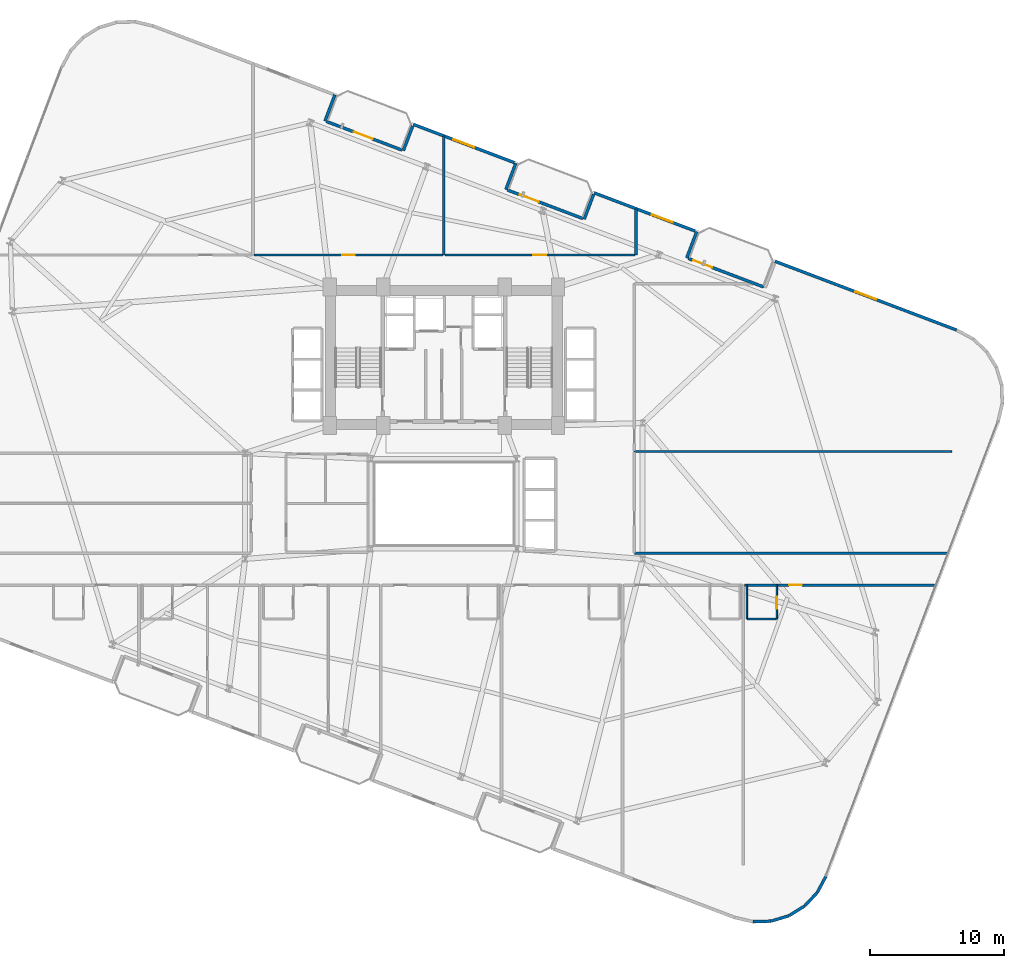
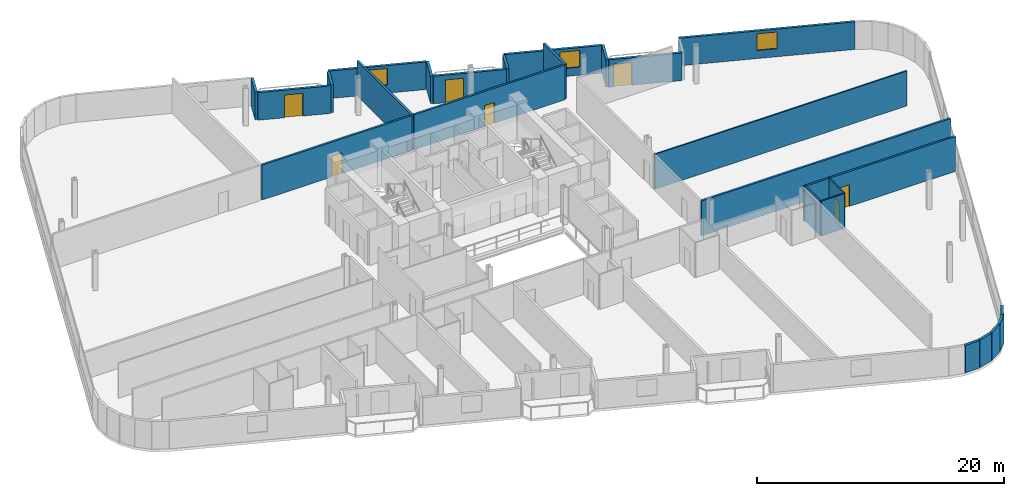
# One storey, part 20 of 25: 26 walls, 7 doors, 3 windows, 10 openings.
"""IFC4 building model written with IfcOpenShell, lengths in metres."""

from ifc_helpers import new_model, si_unit, direction, frame, frame_2d, origin, place, context, subcontext, project, spatial, rectangle, extrude, material, layer, layer_set, type_object, element, fill, save


model = new_model("IFC4")

# Units and contexts
model_context = context("Model", 3, precision=1e-05, world=origin(), true_north=direction((0.0, 1.0)))
body_context = subcontext(model_context, "Body", "Model", "MODEL_VIEW")
ifc_project = project(units=[si_unit("LENGTHUNIT", "METRE"), si_unit("AREAUNIT", "SQUARE_METRE"), si_unit("VOLUMEUNIT", "CUBIC_METRE"), si_unit("PLANEANGLEUNIT", "RADIAN"), si_unit("MASSUNIT", "GRAM", prefix="KILO")], contexts=[model_context])

# Site, building, storey
site_placement = place(None, origin())
site = spatial("IfcSite", under=ifc_project, at=site_placement, CompositionType="ELEMENT")
building_placement = place(site_placement, origin())
building = spatial("IfcBuilding", under=site, at=building_placement, Name="Varnelok Gate Tower", CompositionType="ELEMENT")
storey_placement = place(building_placement, frame((0.0, 0.0, 79.89990234375)))
storey = spatial("IfcBuildingStorey", under=building, at=storey_placement, Name="L19", CompositionType="ELEMENT", Elevation=79.89990234375)

# Wall, opening, door
ifc_material_1 = material(Name="Concrete C45/55", Category="concrete")
ifc_layer_1 = layer(ifc_material_1, 0.219970703125)
ifc_layer_set_1 = layer_set([ifc_layer_1], Name="Concrete C45/55")
wall_type_1 = type_object("IfcWallType", Name="EW-BALC-220", PredefinedType="SOLIDWALL", material=ifc_layer_set_1)
wall_1_placement = place(storey_placement, frame((30.465087890625, 51.37158203125, 0.0), z_axis=(0.0, 0.0, 1.0), x_axis=(0.935227640088, -0.354046976001, 0.0)))
wall_1 = element("IfcWall", 1, at=wall_1_placement, inside=storey, type_object=wall_type_1, Name="L19 North Terrace Envelope Wall 4", PredefinedType="SOLIDWALL", context=body_context, shape_type="SweptSolid", body=[
    extrude(rectangle(XDim=6.0, YDim=0.219970703125, at=frame_2d((3.0, 0.0))), origin(), (0.0, 0.0, 1.0), 2.72998046875),
])
opening_1_placement = place(wall_1_placement, frame((2.176025390625, 0.0, 0.0)))
opening_1 = element("IfcOpeningElement", 2, at=opening_1_placement, cuts=wall_1, Name="Opening BD-1", PredefinedType="OPENING", context=body_context, shape_type="SweptSolid", body=[
    extrude(rectangle(XDim=1.5, YDim=2.25, at=frame_2d((0.75, 1.125))), frame((0.0, 0.119873046875, 0.0), z_axis=(0.0, -1.0, 0.0), x_axis=(1.0, 0.0, 0.0)), (0.0, 0.0, 1.0), 0.239990234375),
])
ifc_material_2 = material(Name="Anodized Aluminum Alloy 6063-T6", Category="aluminium")
door_type_1 = type_object("IfcDoorType", Name="DR-EXT-BALC1500", OperationType="NOTDEFINED", PredefinedType="DOOR", material=ifc_material_2)
door_1_placement = place(opening_1_placement, origin())
door_1 = element("IfcDoor", 3, at=door_1_placement, inside=storey, type_object=door_type_1, Name="L19 North Balcony Glazed Door 4", OperationType="SINGLE_SWING_LEFT", OverallHeight=2.25, OverallWidth=1.5, PredefinedType="DOOR", context=body_context, shape_type="SweptSolid", body=[
    extrude(rectangle(XDim=1.5, YDim=2.25, at=frame_2d((0.75, 1.125))), frame((0.0, 0.02490234375, 0.0), z_axis=(0.0, -1.0, 0.0), x_axis=(1.0, 0.0, 0.0)), (0.0, 0.0, 1.0), 0.050048828125),
])
fill(opening_1, door_1)

wall_2_placement = place(storey_placement, frame((43.932373046875, 46.273193359375, 0.0), z_axis=(0.0, 0.0, 1.0), x_axis=(0.93521416643, -0.354082565101, 0.0)))
wall_2 = element("IfcWall", 4, at=wall_2_placement, inside=storey, type_object=wall_type_1, Name="L19 North Terrace Envelope Wall 5", PredefinedType="SOLIDWALL", context=body_context, shape_type="SweptSolid", body=[
    extrude(rectangle(XDim=6.0, YDim=0.219970703125, at=frame_2d((3.0, 0.0))), origin(), (0.0, 0.0, 1.0), 2.72998046875),
])
opening_2_placement = place(wall_2_placement, frame((0.991943359375, 0.0, 0.0)))
opening_2 = element("IfcOpeningElement", 5, at=opening_2_placement, cuts=wall_2, Name="Opening BD-1", PredefinedType="OPENING", context=body_context, shape_type="SweptSolid", body=[
    extrude(rectangle(XDim=1.5, YDim=2.25, at=frame_2d((0.75, 1.125))), frame((0.0, 0.119873046875, 0.0), z_axis=(0.0, -1.0, 0.0), x_axis=(1.0, 0.0, 0.0)), (0.0, 0.0, 1.0), 0.239990234375),
])
door_2_placement = place(opening_2_placement, origin())
door_2 = element("IfcDoor", 6, at=door_2_placement, inside=storey, type_object=door_type_1, Name="L19 North Balcony Glazed Door 5", OperationType="SINGLE_SWING_RIGHT", OverallHeight=2.25, OverallWidth=1.5, PredefinedType="DOOR", context=body_context, shape_type="SweptSolid", body=[
    extrude(rectangle(XDim=1.5, YDim=2.25, at=frame_2d((0.75, 1.125))), frame((0.0, 0.02490234375, 0.0), z_axis=(0.0, -1.0, 0.0), x_axis=(1.0, 0.0, 0.0)), (0.0, 0.0, 1.0), 0.050048828125),
])
fill(opening_2, door_2)

wall_3_placement = place(storey_placement, frame((57.3994140625, 41.174560546875, 0.0), z_axis=(0.0, 0.0, 1.0), x_axis=(0.935227640088, -0.354046976001, 0.0)))
wall_3 = element("IfcWall", 7, at=wall_3_placement, inside=storey, type_object=wall_type_1, Name="L19 North Terrace Envelope Wall 6", PredefinedType="SOLIDWALL", context=body_context, shape_type="SweptSolid", body=[
    extrude(rectangle(XDim=6.0, YDim=0.219970703125, at=frame_2d((3.0, 0.0))), origin(), (0.0, 0.0, 1.0), 2.72998046875),
])
opening_3_placement = place(wall_3_placement, frame((0.39990234375, 0.0, 0.0)))
opening_3 = element("IfcOpeningElement", 8, at=opening_3_placement, cuts=wall_3, Name="Opening BD-1", PredefinedType="OPENING", context=body_context, shape_type="SweptSolid", body=[
    extrude(rectangle(XDim=1.5, YDim=2.25, at=frame_2d((0.75, 1.125))), frame((0.0, 0.119873046875, 0.0), z_axis=(0.0, -1.0, 0.0), x_axis=(1.0, 0.0, 0.0)), (0.0, 0.0, 1.0), 0.239990234375),
])
door_3_placement = place(opening_3_placement, origin())
door_3 = element("IfcDoor", 9, at=door_3_placement, inside=storey, type_object=door_type_1, Name="L19 North Balcony Glazed Door 6", OperationType="SINGLE_SWING_LEFT", OverallHeight=2.25, OverallWidth=1.5, PredefinedType="DOOR", context=body_context, shape_type="SweptSolid", body=[
    extrude(rectangle(XDim=1.5, YDim=2.25, at=frame_2d((0.75, 1.125))), frame((0.0, 0.02490234375, 0.0), z_axis=(0.0, -1.0, 0.0), x_axis=(1.0, 0.0, 0.0)), (0.0, 0.0, 1.0), 0.050048828125),
])
fill(opening_3, door_3)

# Walls
wall_4_placement = place(storey_placement, frame((62.2158203125, -8.209228515625, 0.0), z_axis=(0.0, 0.0, 1.0), x_axis=(0.999523971993, 0.03085173271, 0.0)))
element("IfcWall", 10, at=wall_4_placement, inside=storey, type_object=wall_type_1, Name="L19 Perimeter Facade Closure Wall 18", PredefinedType="SOLIDWALL", context=body_context, shape_type="SweptSolid", body=[
    extrude(rectangle(XDim=1.353271484375, YDim=0.219970703125, at=frame_2d((0.6767578125, 0.0))), origin(), (0.0, 0.0, 1.0), 2.72998046875),
])
for number, where, z_axis, x_axis, name in (
    (11, (63.59228515625, -8.160400390625, 0.0), (0.0, 0.0, 1.0), (0.957532798303, 0.28832436625, 0.0), "L19 Perimeter Facade Closure Wall 19"),
    (12, (64.9091796875, -7.757080078125, 0.0), (0.0, 0.0, 1.0), (0.850180541217, 0.526491260456, 0.0), "L19 Perimeter Facade Closure Wall 20"),
):
    element("IfcWall", number, at=place(storey_placement, frame(where, z_axis=z_axis, x_axis=x_axis)), inside=storey, type_object=wall_type_1, Name=name, PredefinedType="SOLIDWALL", context=body_context, shape_type="SweptSolid", body=[
        extrude(rectangle(XDim=1.35302734375, YDim=0.219970703125, at=frame_2d((0.676513671875, 0.0))), origin(), (0.0, 0.0, 1.0), 2.72998046875),
    ])
wall_5_placement = place(storey_placement, frame((66.07666015625, -7.026611328125, 0.0), z_axis=(0.0, 0.0, 1.0), x_axis=(0.685032599484, 0.7285124142, 0.0)))
element("IfcWall", 13, at=wall_5_placement, inside=storey, type_object=wall_type_1, Name="L19 Perimeter Facade Closure Wall 21", PredefinedType="SOLIDWALL", context=body_context, shape_type="SweptSolid", body=[
    extrude(rectangle(XDim=1.353271484375, YDim=0.219970703125, at=frame_2d((0.6767578125, 0.0))), origin(), (0.0, 0.0, 1.0), 2.72998046875),
])
wall_6_placement = place(storey_placement, frame((67.015380859375, -6.018798828125, 0.0), z_axis=(0.0, 0.0, 1.0), x_axis=(0.473077364598, 0.881020889142, 0.0)))
element("IfcWall", 14, at=wall_6_placement, inside=storey, type_object=wall_type_1, Name="L19 Perimeter Facade Closure Wall 22", PredefinedType="SOLIDWALL", context=body_context, shape_type="SweptSolid", body=[
    extrude(rectangle(XDim=1.35302734375, YDim=0.219970703125, at=frame_2d((0.676513671875, 0.0))), origin(), (0.0, 0.0, 1.0), 2.72998046875),
])

# Wall, opening, window
wall_7_placement = place(storey_placement, frame((77.37451171875, 35.84716796875, 0.0), z_axis=(0.0, 0.0, 1.0), x_axis=(-0.935222448475, 0.354060689526, 0.0)))
wall_7 = element("IfcWall", 15, at=wall_7_placement, inside=storey, type_object=wall_type_1, Name="L19 Perimeter Facade Closure Wall 29", PredefinedType="SOLIDWALL", context=body_context, shape_type="SweptSolid", body=[
    extrude(rectangle(XDim=14.447265625, YDim=0.219970703125, at=frame_2d((7.2236328125, 0.0))), origin(), (0.0, 0.0, 1.0), 2.72998046875),
])
opening_4_placement = place(wall_7_placement, frame((6.398681640625, 0.0, 0.800048828125)))
opening_4 = element("IfcOpeningElement", 16, at=opening_4_placement, cuts=wall_7, Name="Opening WN3", PredefinedType="OPENING", context=body_context, shape_type="SweptSolid", body=[
    extrude(rectangle(XDim=1.64990234375, YDim=1.64990234375, at=frame_2d((0.824951171875, 0.824951171875))), frame((0.0, 0.119873046875, 0.0), z_axis=(0.0, -1.0, 0.0), x_axis=(1.0, 0.0, 0.0)), (0.0, 0.0, 1.0), 0.239990234375),
])
ifc_material_3 = material(Name="Low-E Laminated Double Glazing IGU", Category="glass")
window_type = type_object("IfcWindowType", Name="WN-HTL-1650", PartitioningType="SINGLE_PANEL", PredefinedType="WINDOW", material=ifc_material_3)
window_1_placement = place(opening_4_placement, origin())
window_1 = element("IfcWindow", 17, at=window_1_placement, inside=storey, type_object=window_type, Name="L19 Perimeter Vision Window 29", OverallHeight=1.64990234375, OverallWidth=1.64990234375, PartitioningType="SINGLE_PANEL", PredefinedType="WINDOW", context=body_context, shape_type="SweptSolid", body=[
    extrude(rectangle(XDim=1.64990234375, YDim=1.64990234375, at=frame_2d((0.824951171875, 0.824951171875))), frame((0.0, 0.030029296875, 0.0), z_axis=(0.0, -1.0, 0.0), x_axis=(1.0, 0.0, 0.0)), (0.0, 0.0, 1.0), 0.06005859375),
])
fill(opening_4, window_1)

# Wall
wall_8_placement = place(storey_placement, frame((57.28369140625, 41.207763671875, 0.0), z_axis=(0.0, 0.0, 1.0), x_axis=(0.354128469405, 0.935196785258, 0.0)))
element("IfcWall", 18, at=wall_8_placement, inside=storey, type_object=wall_type_1, Name="L19 Perimeter Facade Closure Wall 31", PredefinedType="SOLIDWALL", context=body_context, shape_type="SweptSolid", body=[
    extrude(rectangle(XDim=2.099853515625, YDim=0.219970703125, at=frame_2d((1.0498046875, 0.0))), origin(), (0.0, 0.0, 1.0), 2.72998046875),
])

# Wall, opening, window
wall_9_placement = place(storey_placement, frame((57.910400390625, 43.2158203125, 0.0), z_axis=(0.0, 0.0, 1.0), x_axis=(-0.935220736163, 0.354065212427, 0.0)))
wall_9 = element("IfcWall", 19, at=wall_9_placement, inside=storey, type_object=wall_type_1, Name="L19 Perimeter Facade Closure Wall 32", PredefinedType="SOLIDWALL", context=body_context, shape_type="SweptSolid", body=[
    extrude(rectangle(XDim=8.03515625, YDim=0.219970703125, at=frame_2d((4.017578125, 0.0))), origin(), (0.0, 0.0, 1.0), 2.72998046875),
])
opening_5_placement = place(wall_9_placement, frame((1.787841796875, 0.0, 0.800048828125)))
opening_5 = element("IfcOpeningElement", 20, at=opening_5_placement, cuts=wall_9, Name="Opening WN3", PredefinedType="OPENING", context=body_context, shape_type="SweptSolid", body=[
    extrude(rectangle(XDim=1.64990234375, YDim=1.64990234375, at=frame_2d((0.824951171875, 0.824951171875))), frame((0.0, 0.119873046875, 0.0), z_axis=(0.0, -1.0, 0.0), x_axis=(1.0, 0.0, 0.0)), (0.0, 0.0, 1.0), 0.239990234375),
])
window_2_placement = place(opening_5_placement, origin())
window_2 = element("IfcWindow", 21, at=window_2_placement, inside=storey, type_object=window_type, Name="L19 Perimeter Vision Window 32", OverallHeight=1.64990234375, OverallWidth=1.64990234375, PartitioningType="SINGLE_PANEL", PredefinedType="WINDOW", context=body_context, shape_type="SweptSolid", body=[
    extrude(rectangle(XDim=1.64990234375, YDim=1.64990234375, at=frame_2d((0.824951171875, 0.824951171875))), frame((0.0, 0.030029296875, 0.0), z_axis=(0.0, -1.0, 0.0), x_axis=(1.0, 0.0, 0.0)), (0.0, 0.0, 1.0), 0.06005859375),
])
fill(opening_5, window_2)

# Walls
wall_10_placement = place(storey_placement, frame((50.3515625, 45.94384765625, 0.0), z_axis=(0.0, 0.0, 1.0), x_axis=(-0.354061611705, -0.935222099352, 0.0)))
element("IfcWall", 22, at=wall_10_placement, inside=storey, type_object=wall_type_1, Name="L19 Perimeter Facade Closure Wall 33", PredefinedType="SOLIDWALL", context=body_context, shape_type="SweptSolid", body=[
    extrude(rectangle(XDim=1.974853515625, YDim=0.219970703125, at=frame_2d((0.9873046875, 0.0))), origin(), (0.0, 0.0, 1.0), 2.72998046875),
])
wall_11_placement = place(storey_placement, frame((43.816650390625, 46.30615234375, 0.0), z_axis=(0.0, 0.0, 1.0), x_axis=(0.353988291547, 0.935249854022, 0.0)))
element("IfcWall", 23, at=wall_11_placement, inside=storey, type_object=wall_type_1, Name="L19 Perimeter Facade Closure Wall 34", PredefinedType="SOLIDWALL", context=body_context, shape_type="SweptSolid", body=[
    extrude(rectangle(XDim=2.10009765625, YDim=0.219970703125, at=frame_2d((1.050048828125, 0.0))), origin(), (0.0, 0.0, 1.0), 2.72998046875),
])

# Wall, opening, window
wall_12_placement = place(storey_placement, frame((44.443115234375, 48.314453125, 0.0), z_axis=(0.0, 0.0, 1.0), x_axis=(-0.935226988293, 0.354048697735, 0.0)))
wall_12 = element("IfcWall", 24, at=wall_12_placement, inside=storey, type_object=wall_type_1, Name="L19 Perimeter Facade Closure Wall 35", PredefinedType="SOLIDWALL", context=body_context, shape_type="SweptSolid", body=[
    extrude(rectangle(XDim=8.034912109375, YDim=0.219970703125, at=frame_2d((4.017578125, 0.0))), origin(), (0.0, 0.0, 1.0), 2.72998046875),
])
opening_6_placement = place(wall_12_placement, frame((3.1923828125, 0.0, 0.800048828125)))
opening_6 = element("IfcOpeningElement", 25, at=opening_6_placement, cuts=wall_12, Name="Opening WN3", PredefinedType="OPENING", context=body_context, shape_type="SweptSolid", body=[
    extrude(rectangle(XDim=1.64990234375, YDim=1.64990234375, at=frame_2d((0.824951171875, 0.824951171875))), frame((0.0, 0.119873046875, 0.0), z_axis=(0.0, -1.0, 0.0), x_axis=(1.0, 0.0, 0.0)), (0.0, 0.0, 1.0), 0.239990234375),
])
window_3_placement = place(opening_6_placement, origin())
window_3 = element("IfcWindow", 26, at=window_3_placement, inside=storey, type_object=window_type, Name="L19 Perimeter Vision Window 35", OverallHeight=1.64990234375, OverallWidth=1.64990234375, PartitioningType="SINGLE_PANEL", PredefinedType="WINDOW", context=body_context, shape_type="SweptSolid", body=[
    extrude(rectangle(XDim=1.64990234375, YDim=1.64990234375, at=frame_2d((0.824951171875, 0.824951171875))), frame((0.0, 0.030029296875, 0.0), z_axis=(0.0, -1.0, 0.0), x_axis=(1.0, 0.0, 0.0)), (0.0, 0.0, 1.0), 0.06005859375),
])
fill(opening_6, window_3)

# Walls
wall_13_placement = place(storey_placement, frame((36.884521484375, 51.04248046875, 0.0), z_axis=(0.0, 0.0, 1.0), x_axis=(-0.354128791944, -0.935196663123, 0.0)))
element("IfcWall", 27, at=wall_13_placement, inside=storey, type_object=wall_type_1, Name="L19 Perimeter Facade Closure Wall 36", PredefinedType="SOLIDWALL", context=body_context, shape_type="SweptSolid", body=[
    extrude(rectangle(XDim=1.97509765625, YDim=0.219970703125, at=frame_2d((0.987548828125, 0.0))), origin(), (0.0, 0.0, 1.0), 2.72998046875),
])
wall_14_placement = place(storey_placement, frame((30.349365234375, 51.40478515625, 0.0), z_axis=(0.0, 0.0, 1.0), x_axis=(0.354128469405, 0.935196785258, 0.0)))
element("IfcWall", 28, at=wall_14_placement, inside=storey, type_object=wall_type_1, Name="L19 Perimeter Facade Closure Wall 37", PredefinedType="SOLIDWALL", context=body_context, shape_type="SweptSolid", body=[
    extrude(rectangle(XDim=2.099853515625, YDim=0.219970703125, at=frame_2d((1.0498046875, 0.0))), origin(), (0.0, 0.0, 1.0), 2.72998046875),
])

# Wall, opening, door
ifc_material_4 = material(Name="Gypsum Plasterboard Acoustic Partition", Category="gypsum")
ifc_layer_2 = layer(ifc_material_4, 0.179931640625)
ifc_layer_set_2 = layer_set([ifc_layer_2], Name="Gypsum Plasterboard Acoustic Partition")
wall_type_2 = type_object("IfcWallType", Name="PW-CORR-180", PredefinedType="PARTITIONING", material=ifc_layer_set_2)
wall_15_placement = place(storey_placement, frame((61.580078125, 16.85009765625, 0.0), z_axis=(0.0, 0.0, 1.0), x_axis=(1.0, 0.0, 0.0)))
wall_15 = element("IfcWall", 29, at=wall_15_placement, inside=storey, type_object=wall_type_2, Name="Interior Partition", PredefinedType="PARTITIONING", context=body_context, shape_type="SweptSolid", body=[
    extrude(rectangle(XDim=14.2216796875, YDim=0.179931640625, at=frame_2d((7.11083984375, 0.0))), origin(), (0.0, 0.0, 1.0), 3.4501953125),
])
opening_7_placement = place(wall_15_placement, frame((3.32470703125, 0.0, 0.0)))
opening_7 = element("IfcOpeningElement", 30, at=opening_7_placement, cuts=wall_15, Name="Opening D-HT", PredefinedType="OPENING", context=body_context, shape_type="SweptSolid", body=[
    extrude(rectangle(XDim=0.949951171875, YDim=2.14990234375, at=frame_2d((0.47509765625, 1.074951171875))), frame((0.0, 0.099853515625, 0.0), z_axis=(0.0, -1.0, 0.0), x_axis=(1.0, 0.0, 0.0)), (0.0, 0.0, 1.0), 0.199951171875),
])
ifc_material_5 = material(Name="Engineered Hardwood Timber", Category="wood")
door_type_2 = type_object("IfcDoorType", Name="DR-HTL-950", OperationType="NOTDEFINED", PredefinedType="DOOR", material=ifc_material_5)
door_4_placement = place(opening_7_placement, origin())
door_4 = element("IfcDoor", 31, at=door_4_placement, inside=storey, type_object=door_type_2, Name="L19 Guest Room 07 Entrance Door", OperationType="SINGLE_SWING_RIGHT", OverallHeight=2.14990234375, OverallWidth=0.949951171875, PredefinedType="DOOR", context=body_context, shape_type="SweptSolid", body=[
    extrude(rectangle(XDim=0.949951171875, YDim=2.14990234375, at=frame_2d((0.47509765625, 1.074951171875))), frame((0.0, 0.02490234375, 0.0), z_axis=(0.0, -1.0, 0.0), x_axis=(1.0, 0.0, 0.0)), (0.0, 0.0, 1.0), 0.050048828125),
])
fill(opening_7, door_4)

wall_16_placement = place(storey_placement, frame((25.080078125, 41.429931640625, 0.0), z_axis=(0.0, 0.0, 1.0), x_axis=(1.0, 0.0, 0.0)))
wall_16 = element("IfcWall", 32, at=wall_16_placement, inside=storey, type_object=wall_type_2, Name="Interior Partition", PredefinedType="PARTITIONING", context=body_context, shape_type="SweptSolid", body=[
    extrude(rectangle(XDim=14.0400390625, YDim=0.179931640625, at=frame_2d((7.02001953125, 0.0))), origin(), (0.0, 0.0, 1.0), 3.4501953125),
])
opening_8_placement = place(wall_16_placement, frame((6.544921875, 0.0, 0.0)))
opening_8 = element("IfcOpeningElement", 33, at=opening_8_placement, cuts=wall_16, Name="Opening D-I2", PredefinedType="OPENING", context=body_context, shape_type="SweptSolid", body=[
    extrude(rectangle(XDim=0.949951171875, YDim=2.050048828125, at=frame_2d((0.47509765625, 1.02490234375))), frame((0.0, 0.099853515625, 0.0), z_axis=(0.0, -1.0, 0.0), x_axis=(1.0, 0.0, 0.0)), (0.0, 0.0, 1.0), 0.199951171875),
])
door_type_3 = type_object("IfcDoorType", Name="DR-INT-950", OperationType="NOTDEFINED", PredefinedType="DOOR", material=ifc_material_5)
door_5_placement = place(opening_8_placement, origin())
door_5 = element("IfcDoor", 34, at=door_5_placement, inside=storey, type_object=door_type_3, Name="L19 Hotel Fitness Studio Door", OperationType="SINGLE_SWING_LEFT", OverallHeight=2.050048828125, OverallWidth=0.949951171875, PredefinedType="DOOR", context=body_context, shape_type="SweptSolid", body=[
    extrude(rectangle(XDim=0.949951171875, YDim=2.050048828125, at=frame_2d((0.47509765625, 1.02490234375))), frame((0.0, 0.02490234375, 0.0), z_axis=(0.0, -1.0, 0.0), x_axis=(1.0, 0.0, 0.0)), (0.0, 0.0, 1.0), 0.050048828125),
])
fill(opening_8, door_5)

wall_17_placement = place(storey_placement, frame((39.280029296875, 41.429931640625, 0.0), z_axis=(0.0, 0.0, 1.0), x_axis=(1.0, 0.0, 0.0)))
wall_17 = element("IfcWall", 35, at=wall_17_placement, inside=storey, type_object=wall_type_2, Name="Interior Partition", PredefinedType="PARTITIONING", context=body_context, shape_type="SweptSolid", body=[
    extrude(rectangle(XDim=14.139892578125, YDim=0.179931640625, at=frame_2d((7.06982421875, 0.0))), origin(), (0.0, 0.0, 1.0), 3.4501953125),
])
opening_9_placement = place(wall_17_placement, frame((6.594970703125, 0.0, 0.0)))
opening_9 = element("IfcOpeningElement", 36, at=opening_9_placement, cuts=wall_17, Name="Opening D-I2", PredefinedType="OPENING", context=body_context, shape_type="SweptSolid", body=[
    extrude(rectangle(XDim=0.949951171875, YDim=2.050048828125, at=frame_2d((0.47509765625, 1.02490234375))), frame((0.0, 0.099853515625, 0.0), z_axis=(0.0, -1.0, 0.0), x_axis=(1.0, 0.0, 0.0)), (0.0, 0.0, 1.0), 0.199951171875),
])
door_6_placement = place(opening_9_placement, origin())
door_6 = element("IfcDoor", 37, at=door_6_placement, inside=storey, type_object=door_type_3, Name="L19 Wellness Spa Lounge Door", OperationType="SINGLE_SWING_LEFT", OverallHeight=2.050048828125, OverallWidth=0.949951171875, PredefinedType="DOOR", context=body_context, shape_type="SweptSolid", body=[
    extrude(rectangle(XDim=0.949951171875, YDim=2.050048828125, at=frame_2d((0.47509765625, 1.02490234375))), frame((0.0, 0.02490234375, 0.0), z_axis=(0.0, -1.0, 0.0), x_axis=(1.0, 0.0, 0.0)), (0.0, 0.0, 1.0), 0.050048828125),
])
fill(opening_9, door_6)

# Walls
wall_18_placement = place(storey_placement, frame((53.389892578125, 19.239990234375, 0.0), z_axis=(0.0, 0.0, 1.0), x_axis=(1.0, 0.0, 0.0)))
element("IfcWall", 38, at=wall_18_placement, inside=storey, type_object=wall_type_2, Name="Interior Partition", PredefinedType="PARTITIONING", context=body_context, shape_type="SweptSolid", body=[
    extrude(rectangle(XDim=23.316650390625, YDim=0.179931640625, at=frame_2d((11.658203125, 0.0))), origin(), (0.0, 0.0, 1.0), 3.4501953125),
])
ifc_layer_3 = layer(ifc_material_4, 0.114990234375)
ifc_layer_set_3 = layer_set([ifc_layer_3], Name="Gypsum Plasterboard Acoustic Partition")
wall_type_3 = type_object("IfcWallType", Name="PW-ENS-125", PredefinedType="PARTITIONING", material=ifc_layer_set_3)
wall_19_placement = place(storey_placement, frame((61.800048828125, 14.330078125, 0.0), z_axis=(0.0, 0.0, 1.0), x_axis=(1.0, 0.0, 0.0)))
element("IfcWall", 39, at=wall_19_placement, inside=storey, type_object=wall_type_3, Name="Interior Partition", PredefinedType="PARTITIONING", context=body_context, shape_type="SweptSolid", body=[
    extrude(rectangle(XDim=2.14990234375, YDim=0.114990234375, at=frame_2d((1.074951171875, 0.0))), origin(), (0.0, 0.0, 1.0), 3.4501953125),
])

# Wall, opening, door
wall_20_placement = place(storey_placement, frame((63.989990234375, 14.330078125, 0.0), z_axis=(0.0, 0.0, 1.0), x_axis=(0.0, 1.0, 0.0)))
wall_20 = element("IfcWall", 40, at=wall_20_placement, inside=storey, type_object=wall_type_3, Name="Interior Partition", PredefinedType="PARTITIONING", context=body_context, shape_type="SweptSolid", body=[
    extrude(rectangle(XDim=2.52001953125, YDim=0.114990234375, at=frame_2d((1.260009765625, 0.0))), origin(), (0.0, 0.0, 1.0), 3.4501953125),
])
opening_10_placement = place(wall_20_placement, frame((0.760009765625, 0.0, 0.0)))
opening_10 = element("IfcOpeningElement", 41, at=opening_10_placement, cuts=wall_20, Name="Opening D-WC", PredefinedType="OPENING", context=body_context, shape_type="SweptSolid", body=[
    extrude(rectangle(XDim=0.89990234375, YDim=2.050048828125, at=frame_2d((0.449951171875, 1.02490234375))), frame((0.0, 0.0673828125, 0.0), z_axis=(0.0, -1.0, 0.0), x_axis=(1.0, 0.0, 0.0)), (0.0, 0.0, 1.0), 0.135009765625),
])
door_type_4 = type_object("IfcDoorType", Name="DR-BATH-900", OperationType="NOTDEFINED", PredefinedType="DOOR", material=ifc_material_5)
door_7_placement = place(opening_10_placement, origin())
door_7 = element("IfcDoor", 42, at=door_7_placement, inside=storey, type_object=door_type_4, Name="L19 Guest En-Suite 07 Door", OperationType="SINGLE_SWING_LEFT", OverallHeight=2.050048828125, OverallWidth=0.89990234375, PredefinedType="DOOR", context=body_context, shape_type="SweptSolid", body=[
    extrude(rectangle(XDim=0.89990234375, YDim=2.050048828125, at=frame_2d((0.449951171875, 1.02490234375))), frame((0.0, 0.02490234375, 0.0), z_axis=(0.0, -1.0, 0.0), x_axis=(1.0, 0.0, 0.0)), (0.0, 0.0, 1.0), 0.050048828125),
])
fill(opening_10, door_7)

# Walls
wall_21_placement = place(storey_placement, frame((61.760009765625, 14.330078125, 0.0), z_axis=(0.0, 0.0, 1.0), x_axis=(0.0, 1.0, 0.0)))
element("IfcWall", 43, at=wall_21_placement, inside=storey, type_object=wall_type_3, Name="Interior Partition", PredefinedType="PARTITIONING", context=body_context, shape_type="SweptSolid", body=[
    extrude(rectangle(XDim=2.52001953125, YDim=0.114990234375, at=frame_2d((1.260009765625, 0.0))), origin(), (0.0, 0.0, 1.0), 3.4501953125),
])
ifc_layer_4 = layer(ifc_material_4, 0.125)
ifc_layer_set_4 = layer_set([ifc_layer_4], Name="Gypsum Plasterboard Acoustic Partition")
wall_type_4 = type_object("IfcWallType", Name="PW-PART-125", PredefinedType="PARTITIONING", material=ifc_layer_set_4)
wall_22_placement = place(storey_placement, frame((53.389892578125, 26.800048828125, 0.0), z_axis=(0.0, 0.0, 1.0), x_axis=(1.0, 0.0, 0.0)))
element("IfcWall", 44, at=wall_22_placement, inside=storey, type_object=wall_type_4, Name="Interior Partition", PredefinedType="PARTITIONING", context=body_context, shape_type="SweptSolid", body=[
    extrude(rectangle(XDim=23.610107421875, YDim=0.125, at=frame_2d((11.80517578125, 0.0))), origin(), (0.0, 0.0, 1.0), 3.4501953125),
])
ifc_layer_5 = layer(ifc_material_4, 0.205078125)
ifc_layer_set_5 = layer_set([ifc_layer_5], Name="Gypsum Plasterboard Acoustic Partition")
wall_type_5 = type_object("IfcWallType", Name="PW-PARTY-200", PredefinedType="PARTITIONING", material=ifc_layer_set_5)
wall_23_placement = place(storey_placement, frame((39.199951171875, 41.429931640625, 0.0), z_axis=(0.0, 0.0, 1.0), x_axis=(0.0, 1.0, 0.0)))
element("IfcWall", 45, at=wall_23_placement, inside=storey, type_object=wall_type_5, Name="L19 North Party Wall 2", PredefinedType="PARTITIONING", context=body_context, shape_type="SweptSolid", body=[
    extrude(rectangle(XDim=8.84814453125, YDim=0.205078125, at=frame_2d((4.424072265625, 0.0))), origin(), (0.0, 0.0, 1.0), 3.4501953125),
])
wall_24_placement = place(storey_placement, frame((53.5, 41.429931640625, 0.0), z_axis=(0.0, 0.0, 1.0), x_axis=(0.0, 1.0, 0.0)))
element("IfcWall", 46, at=wall_24_placement, inside=storey, type_object=wall_type_5, Name="L19 North Party Wall 3", PredefinedType="PARTITIONING", context=body_context, shape_type="SweptSolid", body=[
    extrude(rectangle(XDim=3.434326171875, YDim=0.205078125, at=frame_2d((1.71728515625, 0.0))), origin(), (0.0, 0.0, 1.0), 3.4501953125),
])

save(model, "model.ifc")
